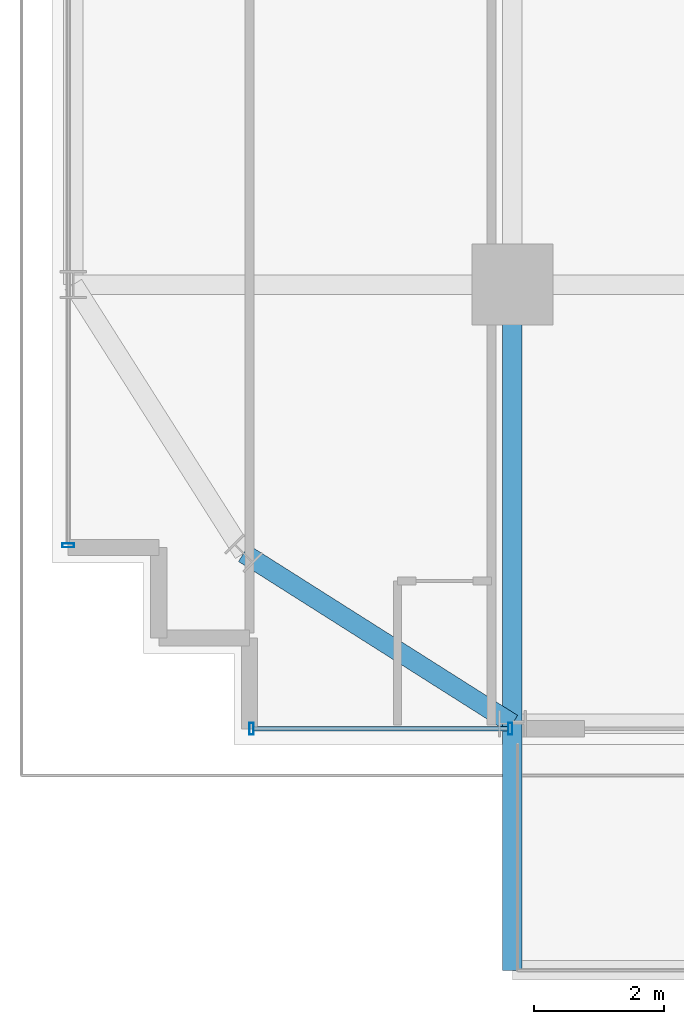
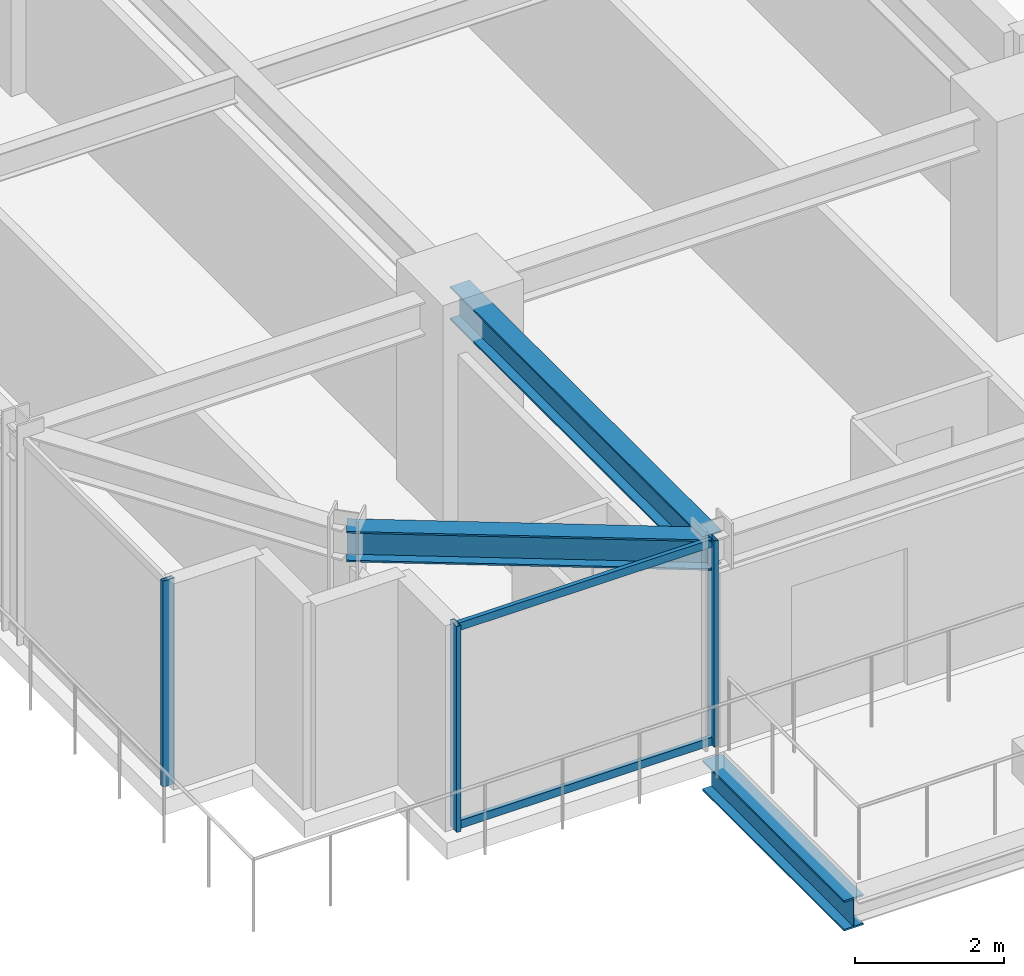
# One storey, part 2 of 34: 5 members, 3 beams, 2 elements without a shape of their own.
"""IFC4 building model written with IfcOpenShell, lengths in metres."""

from ifc_helpers import new_model, si_unit, direction, frame, origin, origin_2d, place, context, subcontext, project, spatial, hollow_rectangle, i_section, extrude, source, transform, mapped, material, material_profile, profile_set, type_object, element, aggregate, save


model = new_model("IFC4")

# Units and contexts
model_context = context("Model", 3, precision=1e-05, world=origin(), true_north=direction((0.0, 1.0)))
body_context = subcontext(model_context, "Body", "Model", "MODEL_VIEW")
ifc_project = project(units=[si_unit("LENGTHUNIT", "METRE"), si_unit("AREAUNIT", "SQUARE_METRE"), si_unit("VOLUMEUNIT", "CUBIC_METRE"), si_unit("PLANEANGLEUNIT", "RADIAN"), si_unit("MASSUNIT", "GRAM", prefix="KILO")], contexts=[model_context])

# Site, building, storey
site_placement = place(None, origin())
site = spatial("IfcSite", under=ifc_project, at=site_placement, CompositionType="ELEMENT")
building_placement = place(site_placement, origin())
building = spatial("IfcBuilding", under=site, at=building_placement, Name="Nahalor Promenade Grand Hotel", CompositionType="ELEMENT")
storey_placement = place(building_placement, frame((0.0, 0.0, 88.300048828125)))
storey = spatial("IfcBuildingStorey", under=building, at=storey_placement, Name="L21", CompositionType="ELEMENT", Elevation=88.300048828125)

# Beams
ifc_material_1 = material(Name="Steel S355JR", Category="steel")
ifc_material_profile_1 = material_profile(ifc_material_1, i_section(OverallWidth=0.3, OverallDepth=0.5, WebThickness=0.0145, FlangeThickness=0.028, at=origin_2d()), Name="HEB 500")
ifc_profile_set_1 = profile_set([ifc_material_profile_1], Name="Steel S355JR")
beam_type_1 = type_object("IfcBeamType", Name="Beam-Outrigger-HEB500", PredefinedType="BEAM", material=ifc_profile_set_1)
shared_shape_1 = source(origin(), body_context, "Body", "SweptSolid", [
    extrude(i_section(OverallWidth=0.3, OverallDepth=0.5, WebThickness=0.0145, FlangeThickness=0.028, at=origin_2d()), origin(), (0.0, 0.0, 1.0), 3.81005859375),
])
beam_1_placement = place(storey_placement, frame((-17.0, -27.590087890625, -0.530029296875), z_axis=(0.0, 1.0, 0.0), x_axis=(-1.0, 0.0, 0.0)))
element("IfcBeam", 1, at=beam_1_placement, inside=storey, type_object=beam_type_1, Name="BM-L21-BC-01-1", PredefinedType="BEAM", context=body_context, shape_type="MappedRepresentation", body=[
    mapped(shared_shape_1, transform((0.0, 0.0, 0.0), scale=1.0)),
])
ifc_material_profile_2 = material_profile(ifc_material_1, i_section(OverallWidth=0.3, OverallDepth=0.5, WebThickness=0.0145, FlangeThickness=0.028, at=origin_2d()), Name="HEB 500")
ifc_profile_set_2 = profile_set([ifc_material_profile_2], Name="Steel S355JR")
beam_type_2 = type_object("IfcBeamType", Name="Beam-Spandrel-HEB500", PredefinedType="SPANDREL", material=ifc_profile_set_2)
shared_shape_2 = source(origin(), body_context, "Body", "SweptSolid", [
    extrude(i_section(OverallWidth=0.3, OverallDepth=0.5, WebThickness=0.0145, FlangeThickness=0.028, at=origin_2d()), origin(), (0.0, 0.0, 1.0), 4.9130859375),
])
beam_2_placement = place(storey_placement, frame((-17.0, -23.780029296875, 3.1298828125), z_axis=(-0.844648325505, 0.535321591403, 0.0), x_axis=(-0.535321591403, -0.844648325505, 0.0)))
element("IfcBeam", 2, at=beam_2_placement, inside=storey, type_object=beam_type_2, Name="BM-L21-SPC-SW-1", PredefinedType="SPANDREL", context=body_context, shape_type="MappedRepresentation", body=[
    mapped(shared_shape_2, transform((0.0, 0.0, 0.0), scale=1.0)),
])
ifc_material_profile_3 = material_profile(ifc_material_1, i_section(OverallWidth=0.3, OverallDepth=0.55, WebThickness=0.015, FlangeThickness=0.029, at=origin_2d()), Name="HEB 550")
ifc_profile_set_3 = profile_set([ifc_material_profile_3], Name="Steel S355JR")
beam_type_3 = type_object("IfcBeamType", Name="Beam-Girder-HEB550", PredefinedType="BEAM", material=ifc_profile_set_3)
shared_shape_3 = source(origin(), body_context, "Body", "SweptSolid", [
    extrude(i_section(OverallWidth=0.3, OverallDepth=0.55, WebThickness=0.015, FlangeThickness=0.029, at=origin_2d()), origin(), (0.0, 0.0, 1.0), 6.780029296875),
])
beam_3_placement = place(storey_placement, frame((-17.0, -23.780029296875, 3.10498046875), z_axis=(0.0, 1.0, 0.0), x_axis=(-1.0, 0.0, 0.0)))
element("IfcBeam", 3, at=beam_3_placement, inside=storey, type_object=beam_type_3, Name="BM-L21-GY-0-0", PredefinedType="BEAM", context=body_context, shape_type="MappedRepresentation", body=[
    mapped(shared_shape_3, transform((0.0, 0.0, 0.0), scale=1.0)),
])

# Curtain wall, members
ifc_material_2 = material(Name="Anodised Bronze Aluminium EN AW-6063 T6", Category="aluminium")
curtain_wall_type = type_object("IfcCurtainWallType", Name="CW2 Typical Hotel Flush Bronze Unitised Curtain Wall", PredefinedType="USERDEFINED", material=ifc_material_2)
curtain_wall_1_placement = place(storey_placement, origin())
curtain_wall_1 = element("IfcCurtainWall", 4, at=curtain_wall_1_placement, inside=storey, type_object=curtain_wall_type, Name="L21 Curtain Wall CW-L21-S-1", ObjectType="UNITISED_CURTAIN_WALL", PredefinedType="USERDEFINED")
ifc_material_profile_4 = material_profile(ifc_material_2, hollow_rectangle(XDim=0.065, YDim=0.18, WallThickness=0.004, at=origin_2d()), Name="CWM 65x180x4")
ifc_profile_set_4 = profile_set([ifc_material_profile_4], Name="Anodised Bronze Aluminium EN AW-6063 T6")
member_type_1 = type_object("IfcMemberType", Name="CWM2 Typical Bronze Mullion 65x180", PredefinedType="MULLION", material=ifc_profile_set_4)
shared_shape_4 = source(origin(), body_context, "Body", "SweptSolid", [
    extrude(hollow_rectangle(XDim=0.065, YDim=0.18, WallThickness=0.004, at=origin_2d()), origin(), (0.0, 0.0, 1.0), 3.3798828125),
])
member_1_placement = place(storey_placement, frame((-21.027587890625, -23.860107421875, 0.0), z_axis=(0.0, 0.0, 1.0), x_axis=(1.0, 0.0, 0.0)))
member_1 = element("IfcMember", 5, at=member_1_placement, type_object=member_type_1, Name="CW-L21-S-1 Mullion 0", PredefinedType="MULLION", context=body_context, shape_type="MappedRepresentation", body=[
    mapped(shared_shape_4, transform((0.0, 0.0, 0.0), scale=1.0)),
])
member_2_placement = place(storey_placement, frame((-17.032470703125, -23.860107421875, 0.0), z_axis=(0.0, 0.0, 1.0), x_axis=(1.0, 0.0, 0.0)))
member_2 = element("IfcMember", 6, at=member_2_placement, type_object=member_type_1, Name="CW-L21-S-1 Mullion 1", PredefinedType="MULLION", context=body_context, shape_type="MappedRepresentation", body=[
    mapped(shared_shape_4, transform((0.0, 0.0, 0.0), scale=1.0)),
])

# Curtain wall, member
curtain_wall_2_placement = place(storey_placement, origin())
curtain_wall_2 = element("IfcCurtainWall", 7, at=curtain_wall_2_placement, inside=storey, type_object=curtain_wall_type, Name="L21 Curtain Wall CW-L21-W-1", ObjectType="UNITISED_CURTAIN_WALL", PredefinedType="USERDEFINED")
member_3_placement = place(storey_placement, frame((-23.860107421875, -21.027587890625, 0.0), z_axis=(0.0, 0.0, 1.0), x_axis=(0.0, 1.0, 0.0)))
member_3 = element("IfcMember", 8, at=member_3_placement, type_object=member_type_1, Name="CW-L21-W-1 Mullion 0", PredefinedType="MULLION", context=body_context, shape_type="MappedRepresentation", body=[
    mapped(shared_shape_4, transform((0.0, 0.0, 0.0), scale=1.0)),
])
aggregate(curtain_wall_2, [member_3])

# Member
ifc_material_profile_5 = material_profile(ifc_material_2, hollow_rectangle(XDim=0.065, YDim=0.13, WallThickness=0.004, at=origin_2d()), Name="CWT 65x130x4")
ifc_profile_set_5 = profile_set([ifc_material_profile_5], Name="Anodised Bronze Aluminium EN AW-6063 T6")
member_type_2 = type_object("IfcMemberType", Name="CWT2 Typical Bronze Transom 65x130", PredefinedType="USERDEFINED", material=ifc_profile_set_5)
shared_shape_5 = source(origin(), body_context, "Body", "SweptSolid", [
    extrude(hollow_rectangle(XDim=0.065, YDim=0.13, WallThickness=0.004, at=origin_2d()), origin(), (0.0, 0.0, 1.0), 3.93017578125),
])
member_4_placement = place(storey_placement, frame((-20.9951171875, -23.860107421875, 0.06494140625), z_axis=(1.0, 0.0, 0.0), x_axis=(0.0, 1.0, 0.0)))
member_4 = element("IfcMember", 9, at=member_4_placement, type_object=member_type_2, Name="CW-L21-S-1 Transom 0-0", ObjectType="TRANSOM", PredefinedType="USERDEFINED", context=body_context, shape_type="MappedRepresentation", body=[
    mapped(shared_shape_5, transform((0.0, 0.0, 0.0), scale=1.0)),
])

member_5_placement = place(storey_placement, frame((-20.9951171875, -23.860107421875, 3.31494140625), z_axis=(1.0, 0.0, 0.0), x_axis=(0.0, 1.0, 0.0)))
member_5 = element("IfcMember", 10, at=member_5_placement, type_object=member_type_2, Name="CW-L21-S-1 Transom 0-1", ObjectType="TRANSOM", PredefinedType="USERDEFINED", context=body_context, shape_type="MappedRepresentation", body=[
    mapped(shared_shape_5, transform((0.0, 0.0, 0.0), scale=1.0)),
])

aggregate(curtain_wall_1, [member_1, member_2, member_4, member_5])

save(model, "model.ifc")
